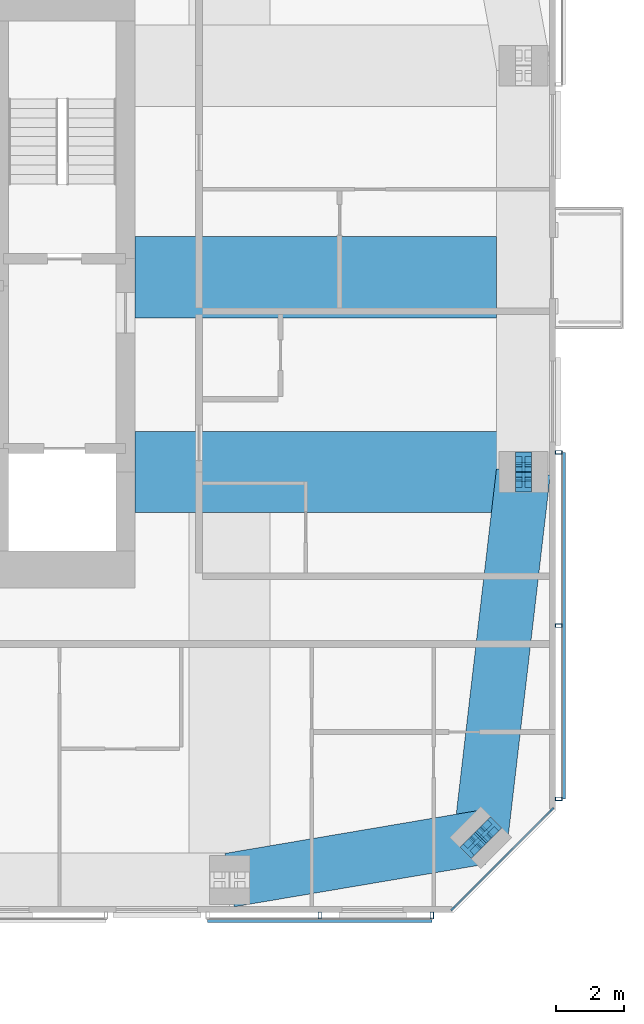
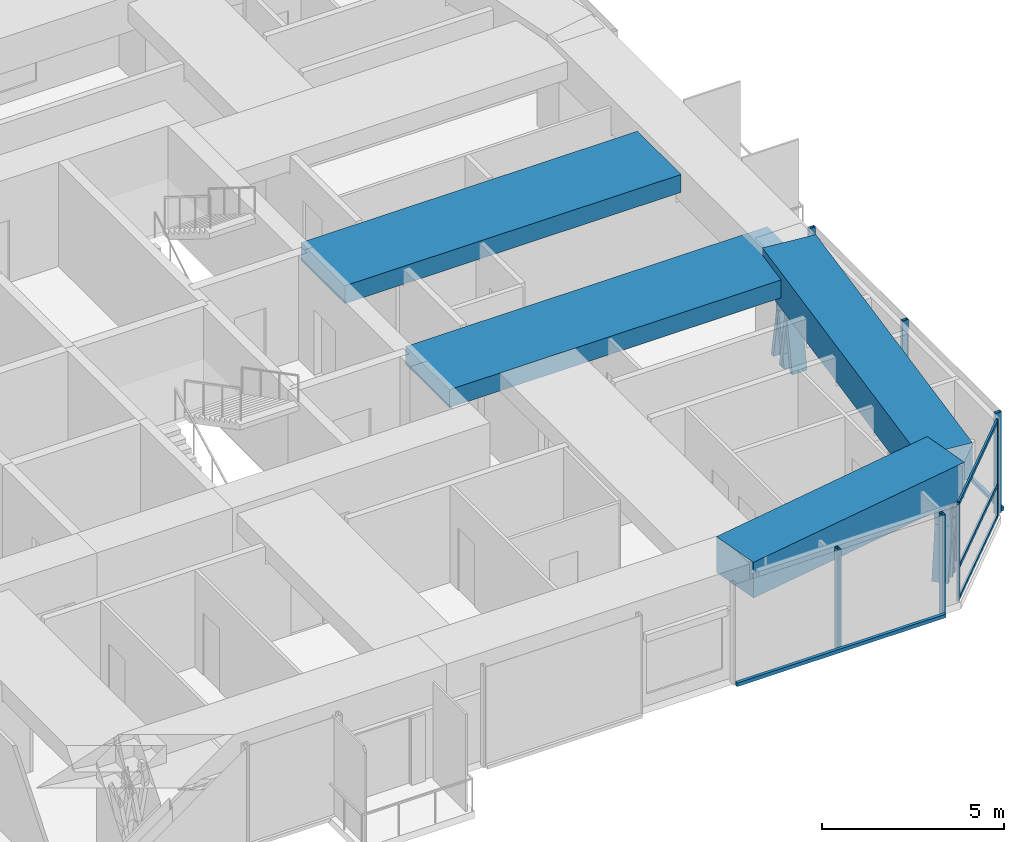
# One storey, part 7 of 18: 20 members, 4 beams, 3 elements without a shape of their own.
"""IFC4 building model written with IfcOpenShell, lengths in metres."""

from ifc_helpers import new_model, si_unit, direction, frame, origin, origin_2d, place, context, subcontext, project, spatial, rectangle, hollow_rectangle, i_section, extrude, material, material_profile, profile_set, type_object, element, aggregate, save


model = new_model("IFC4")

# Units and contexts
model_context = context("Model", 3, precision=1e-05, world=origin(), true_north=direction((0.0, 1.0)))
body_context = subcontext(model_context, "Body", "Model", "MODEL_VIEW")
ifc_project = project(units=[si_unit("LENGTHUNIT", "METRE"), si_unit("AREAUNIT", "SQUARE_METRE"), si_unit("VOLUMEUNIT", "CUBIC_METRE"), si_unit("PLANEANGLEUNIT", "RADIAN"), si_unit("MASSUNIT", "GRAM", prefix="KILO")], contexts=[model_context])

# Site, building, storey
site_placement = place(None, origin())
site = spatial("IfcSite", under=ifc_project, at=site_placement, CompositionType="ELEMENT")
building_placement = place(site_placement, origin())
building = spatial("IfcBuilding", under=site, at=building_placement, Name="Jalousie Tower", CompositionType="ELEMENT")
storey_placement = place(building_placement, frame((0.0, 0.0, 256.449951171875)))
storey = spatial("IfcBuildingStorey", under=building, at=storey_placement, Name="L70", CompositionType="ELEMENT", Elevation=256.449951171875)

# Curtain wall, members
ifc_material_1 = material(Name="Aluminium curtain wall", Category="aluminium")
curtain_wall_type_1 = type_object("IfcCurtainWallType", Name="CORNER WINDOW WALL", PredefinedType="USERDEFINED", material=ifc_material_1)
curtain_wall_1_placement = place(storey_placement, origin())
curtain_wall_1 = element("IfcCurtainWall", 1, at=curtain_wall_1_placement, inside=storey, type_object=curtain_wall_type_1, Name="Corner Window Wall L70 2", ObjectType="CORNER WINDOW WALL", PredefinedType="USERDEFINED")
ifc_material_2 = material(Name="Aluminium mullion", Category="aluminium")
ifc_material_profile_1 = material_profile(ifc_material_2, rectangle(XDim=0.06005859375, YDim=0.14990234375, at=origin_2d()), Name="MULLION 60x150")
ifc_profile_set_1 = profile_set([ifc_material_profile_1], Name="Aluminium mullion")
member_type_1 = type_object("IfcMemberType", Name="CORNER WINDOW WALL MULLION", PredefinedType="MULLION", material=ifc_profile_set_1)
member_1_placement = place(storey_placement, frame((53.469970703125, 0.108642578125, 0.0), z_axis=(0.0, 0.0, 1.0), x_axis=(-0.707106781187, 0.707106781187, 0.0)))
member_1 = element("IfcMember", 2, at=member_1_placement, type_object=member_type_1, Name="CW-C mullion 1", PredefinedType="MULLION", context=body_context, shape_type="SweptSolid", body=[
    extrude(rectangle(XDim=0.06005859375, YDim=0.14990234375, at=origin_2d()), origin(), (0.0, 0.0, 1.0), 3.260009765625),
])
member_2_placement = place(storey_placement, frame((56.391357421875, 3.030029296875, 0.0), z_axis=(0.0, 0.0, 1.0), x_axis=(-0.707106781187, 0.707106781187, 0.0)))
member_2 = element("IfcMember", 3, at=member_2_placement, type_object=member_type_1, Name="CW-C mullion 2", PredefinedType="MULLION", context=body_context, shape_type="SweptSolid", body=[
    extrude(rectangle(XDim=0.06005859375, YDim=0.14990234375, at=origin_2d()), origin(), (0.0, 0.0, 1.0), 3.260009765625),
])
ifc_material_3 = material(Name="Aluminium transom", Category="aluminium")
ifc_material_profile_2 = material_profile(ifc_material_3, rectangle(XDim=0.06005859375, YDim=0.1201171875, at=origin_2d()), Name="TRANSOM 60x120")
ifc_profile_set_2 = profile_set([ifc_material_profile_2], Name="Aluminium transom")
member_type_2 = type_object("IfcMemberType", Name="CORNER WINDOW WALL TRANSOM", PredefinedType="USERDEFINED", material=ifc_profile_set_2)
member_3_placement = place(storey_placement, frame((53.4912109375, 0.1298828125, 0.030029296875), z_axis=(0.707106781187, 0.707106781187, 0.0), x_axis=(-0.707106781187, 0.707106781187, 0.0)))
member_3 = element("IfcMember", 4, at=member_3_placement, type_object=member_type_2, Name="CW-C transom 1.1", ObjectType="TRANSOM", PredefinedType="USERDEFINED", context=body_context, shape_type="SweptSolid", body=[
    extrude(rectangle(XDim=0.06005859375, YDim=0.1201171875, at=origin_2d()), origin(), (0.0, 0.0, 1.0), 4.0712890625),
])
member_4_placement = place(storey_placement, frame((53.4912109375, 0.1298828125, 1.10009765625), z_axis=(0.707106781187, 0.707106781187, 0.0), x_axis=(-0.707106781187, 0.707106781187, 0.0)))
member_4 = element("IfcMember", 5, at=member_4_placement, type_object=member_type_2, Name="CW-C transom 1.2", ObjectType="TRANSOM", PredefinedType="USERDEFINED", context=body_context, shape_type="SweptSolid", body=[
    extrude(rectangle(XDim=0.06005859375, YDim=0.1201171875, at=origin_2d()), origin(), (0.0, 0.0, 1.0), 4.0712890625),
])
member_5_placement = place(storey_placement, frame((53.4912109375, 0.1298828125, 3.22998046875), z_axis=(0.707106781187, 0.707106781187, 0.0), x_axis=(-0.707106781187, 0.707106781187, 0.0)))
member_5 = element("IfcMember", 6, at=member_5_placement, type_object=member_type_2, Name="CW-C transom 1.3", ObjectType="TRANSOM", PredefinedType="USERDEFINED", context=body_context, shape_type="SweptSolid", body=[
    extrude(rectangle(XDim=0.06005859375, YDim=0.1201171875, at=origin_2d()), origin(), (0.0, 0.0, 1.0), 4.0712890625),
])
aggregate(curtain_wall_1, [member_1, member_2, member_3, member_4, member_5])

# Members
ifc_material_4 = material(Name="Steel ASTM A992 Grade 50", Category="steel")
ifc_material_profile_3 = material_profile(ifc_material_4, i_section(OverallWidth=0.472412109375, OverallDepth=0.5791015625, WebThickness=0.094970703125, FlangeThickness=0.1298828125, at=origin_2d()), Name="W14X808")
ifc_profile_set_3 = profile_set([ifc_material_profile_3], Name="Steel ASTM A992 Grade 50")
member_type_3 = type_object("IfcMemberType", Name="PERIMETER BRACE W14X808", PredefinedType="BRACE", material=ifc_profile_set_3)
for number, where, z_axis, x_axis, name in (
    (7, (54.04541015625, 1.959716796875, -0.599853515625), (0.138716051522, 0.138579250682, 0.980588419435), (-0.706757851183, 0.707455539091, 0.0), "Perimeter brace 05 L70 part 1"),
    (8, (54.29296875, 2.20703125, 1.150146484375), (0.138579250682, 0.138716051522, 0.980588419435), (-0.707455539091, 0.706757851183, 0.0), "Perimeter brace 05 L70 part 2"),
    (9, (54.540283203125, 2.45458984375, -0.599853515625), (-0.138579250682, -0.138716051522, 0.980588419435), (0.707455539091, -0.706757851183, 0.0), "Perimeter brace 05 L70 part 3"),
    (10, (54.29296875, 2.20703125, 1.150146484375), (-0.138716051522, -0.138579250682, 0.980588419435), (0.706757851183, -0.707455539091, 0.0), "Perimeter brace 05 L70 part 4"),
):
    element("IfcMember", number, at=place(storey_placement, frame(where, z_axis=z_axis, x_axis=x_axis)), inside=storey, type_object=member_type_3, Name=name, PredefinedType="BRACE", context=body_context, shape_type="SweptSolid", body=[
        extrude(i_section(OverallWidth=0.472412109375, OverallDepth=0.5791015625, WebThickness=0.094970703125, FlangeThickness=0.1298828125, at=origin_2d()), origin(), (0.0, 0.0, 1.0), 1.78466796875),
    ])
for number, where, z_axis, x_axis, name in (
    (11, (55.550048828125, 12.699951171875, -0.599853515625), (0.0, 0.168990530437, 0.98561767467), (-1.0, 0.0, 0.0), "Perimeter brace 06 L70 part 1"),
    (12, (55.550048828125, 13.0, 1.150146484375), (0.0, 0.168990530437, 0.98561767467), (-1.0, 0.0, 0.0), "Perimeter brace 06 L70 part 2"),
    (13, (55.550048828125, 13.300048828125, -0.599853515625), (0.0, -0.168990530437, 0.98561767467), (1.0, 0.0, 0.0), "Perimeter brace 06 L70 part 3"),
    (14, (55.550048828125, 13.0, 1.150146484375), (0.0, -0.168990530437, 0.98561767467), (1.0, 0.0, 0.0), "Perimeter brace 06 L70 part 4"),
):
    element("IfcMember", number, at=place(storey_placement, frame(where, z_axis=z_axis, x_axis=x_axis)), inside=storey, type_object=member_type_3, Name=name, PredefinedType="BRACE", context=body_context, shape_type="SweptSolid", body=[
        extrude(i_section(OverallWidth=0.472412109375, OverallDepth=0.5791015625, WebThickness=0.094970703125, FlangeThickness=0.1298828125, at=origin_2d()), origin(), (0.0, 0.0, 1.0), 1.775634765625),
    ])

# Beams
ifc_material_5 = material(Name="Concrete f'c 40 MPa", Category="concrete")
ifc_material_profile_4 = material_profile(ifc_material_5, rectangle(XDim=1.60009765625, YDim=1.199951171875, at=origin_2d()), Name="RC 1600x1200")
ifc_profile_set_4 = profile_set([ifc_material_profile_4], Name="Concrete f'c 40 MPa")
beam_type_1 = type_object("IfcBeamType", Name="RC BEAM 1600x1200", PredefinedType="BEAM", material=ifc_profile_set_4)
beam_1_placement = place(storey_placement, frame((46.875, 0.949951171875, 2.900146484375), z_axis=(0.985942997446, 0.167082033105, 0.0), x_axis=(-0.167082033105, 0.985942997446, 0.0)))
element("IfcBeam", 15, at=beam_1_placement, inside=storey, type_object=beam_type_1, Name="Edge band beam 04-05 under L71", PredefinedType="BEAM", context=body_context, shape_type="SweptSolid", body=[
    extrude(rectangle(XDim=1.60009765625, YDim=1.199951171875, at=origin_2d()), origin(), (0.0, 0.0, 1.0), 7.523681640625),
])
beam_2_placement = place(storey_placement, frame((54.29296875, 2.20703125, 2.900146484375), z_axis=(0.115690063472, 0.993285361421, 0.0), x_axis=(-0.993285361421, 0.115690063472, 0.0)))
element("IfcBeam", 16, at=beam_2_placement, inside=storey, type_object=beam_type_1, Name="Edge band beam 05-06 under L71", PredefinedType="BEAM", context=body_context, shape_type="SweptSolid", body=[
    extrude(rectangle(XDim=1.60009765625, YDim=1.199951171875, at=origin_2d()), origin(), (0.0, 0.0, 1.0), 10.865966796875),
])
ifc_material_6 = material(Name="Concrete f'c 40 MPa", Category="concrete")
ifc_material_profile_5 = material_profile(ifc_material_6, rectangle(XDim=2.39990234375, YDim=0.60009765625, at=origin_2d()), Name="RC 2400x600")
ifc_profile_set_5 = profile_set([ifc_material_profile_5], Name="Concrete f'c 40 MPa")
beam_type_2 = type_object("IfcBeamType", Name="RC BEAM 2400x600", PredefinedType="BEAM", material=ifc_profile_set_5)
beam_3_placement = place(storey_placement, frame((55.550048828125, 13.0, 2.9599609375), z_axis=(-1.0, 0.0, 0.0), x_axis=(0.0, -1.0, 0.0)))
element("IfcBeam", 17, at=beam_3_placement, inside=storey, type_object=beam_type_2, Name="Floor band beam under L71", PredefinedType="BEAM", context=body_context, shape_type="SweptSolid", body=[
    extrude(rectangle(XDim=2.39990234375, YDim=0.60009765625, at=origin_2d()), origin(), (0.0, 0.0, 1.0), 11.47509765625),
])
beam_4_placement = place(storey_placement, frame((44.074951171875, 18.75, 2.9599609375), z_axis=(1.0, 0.0, 0.0), x_axis=(0.0, 1.0, 0.0)))
element("IfcBeam", 18, at=beam_4_placement, inside=storey, type_object=beam_type_2, Name="Floor band beam under L71", PredefinedType="BEAM", context=body_context, shape_type="SweptSolid", body=[
    extrude(rectangle(XDim=2.39990234375, YDim=0.60009765625, at=origin_2d()), origin(), (0.0, 0.0, 1.0), 10.675048828125),
])

# Curtain wall, members
ifc_material_7 = material(Name="Perforated aluminium sheet", Category="aluminium")
curtain_wall_type_2 = type_object("IfcCurtainWallType", Name="SOLAR SCREEN SS-2", PredefinedType="USERDEFINED", material=ifc_material_7)
curtain_wall_2_placement = place(storey_placement, origin())
curtain_wall_2 = element("IfcCurtainWall", 19, at=curtain_wall_2_placement, inside=storey, type_object=curtain_wall_type_2, Name="Solar screen L70", ObjectType="SOLAR SCREEN SS-2", PredefinedType="USERDEFINED")
ifc_material_8 = material(Name="Steel ASTM A500 Grade C", Category="steel")
ifc_material_profile_6 = material_profile(ifc_material_8, hollow_rectangle(XDim=0.1015625, YDim=0.203125, WallThickness=0.0078125, at=origin_2d()), Name="HSS8X4X5/16")
ifc_profile_set_6 = profile_set([ifc_material_profile_6], Name="Steel ASTM A500 Grade C")
member_type_4 = type_object("IfcMemberType", Name="SOLAR SCREEN SS-2 MULLION", PredefinedType="MULLION", material=ifc_profile_set_6)
member_6_placement = place(storey_placement, frame((49.53759765625, -0.0966796875, -0.119873046875), z_axis=(0.0, 0.0, 1.0), x_axis=(1.0, 0.0, 0.0)))
member_6 = element("IfcMember", 20, at=member_6_placement, type_object=member_type_4, Name="SS2 post 2", PredefinedType="MULLION", context=body_context, shape_type="SweptSolid", body=[
    extrude(hollow_rectangle(XDim=0.1015625, YDim=0.203125, WallThickness=0.0078125, at=origin_2d()), origin(), (0.0, 0.0, 1.0), 3.3798828125),
])
member_7_placement = place(storey_placement, frame((52.85009765625, -0.0966796875, -0.119873046875), z_axis=(0.0, 0.0, 1.0), x_axis=(1.0, 0.0, 0.0)))
member_7 = element("IfcMember", 21, at=member_7_placement, type_object=member_type_4, Name="SS2 post 3", PredefinedType="MULLION", context=body_context, shape_type="SweptSolid", body=[
    extrude(hollow_rectangle(XDim=0.1015625, YDim=0.203125, WallThickness=0.0078125, at=origin_2d()), origin(), (0.0, 0.0, 1.0), 3.3798828125),
])

curtain_wall_3_placement = place(storey_placement, origin())
curtain_wall_3 = element("IfcCurtainWall", 22, at=curtain_wall_3_placement, inside=storey, type_object=curtain_wall_type_2, Name="Solar screen L70", ObjectType="SOLAR SCREEN SS-2", PredefinedType="USERDEFINED")
member_8_placement = place(storey_placement, frame((56.5966796875, 3.351318359375, -0.119873046875), z_axis=(0.0, 0.0, 1.0), x_axis=(0.0, 1.0, 0.0)))
member_8 = element("IfcMember", 23, at=member_8_placement, type_object=member_type_4, Name="SS2 post 1", PredefinedType="MULLION", context=body_context, shape_type="SweptSolid", body=[
    extrude(hollow_rectangle(XDim=0.1015625, YDim=0.203125, WallThickness=0.0078125, at=origin_2d()), origin(), (0.0, 0.0, 1.0), 3.3798828125),
])
member_9_placement = place(storey_placement, frame((56.5966796875, 8.466552734375, -0.119873046875), z_axis=(0.0, 0.0, 1.0), x_axis=(0.0, 1.0, 0.0)))
member_9 = element("IfcMember", 24, at=member_9_placement, type_object=member_type_4, Name="SS2 post 2", PredefinedType="MULLION", context=body_context, shape_type="SweptSolid", body=[
    extrude(hollow_rectangle(XDim=0.1015625, YDim=0.203125, WallThickness=0.0078125, at=origin_2d()), origin(), (0.0, 0.0, 1.0), 3.3798828125),
])
member_10_placement = place(storey_placement, frame((56.5966796875, 13.581787109375, -0.119873046875), z_axis=(0.0, 0.0, 1.0), x_axis=(0.0, 1.0, 0.0)))
member_10 = element("IfcMember", 25, at=member_10_placement, type_object=member_type_4, Name="SS2 post 3", PredefinedType="MULLION", context=body_context, shape_type="SweptSolid", body=[
    extrude(hollow_rectangle(XDim=0.1015625, YDim=0.203125, WallThickness=0.0078125, at=origin_2d()), origin(), (0.0, 0.0, 1.0), 3.3798828125),
])

# Member
ifc_material_9 = material(Name="Extruded aluminium screen rail", Category="aluminium")
ifc_material_profile_7 = material_profile(ifc_material_9, rectangle(XDim=0.1015625, YDim=0.1201171875, at=origin_2d()), Name="RAIL 102x120")
ifc_profile_set_7 = profile_set([ifc_material_profile_7], Name="Extruded aluminium screen rail")
member_type_5 = type_object("IfcMemberType", Name="SOLAR SCREEN SS-2 TRANSOM", PredefinedType="USERDEFINED", material=ifc_profile_set_7)
member_11_placement = place(storey_placement, frame((46.22509765625, -0.2490234375, -0.06005859375), z_axis=(1.0, 0.0, 0.0), x_axis=(0.0, 1.0, 0.0)))
member_11 = element("IfcMember", 26, at=member_11_placement, type_object=member_type_5, Name="SS2 rail", ObjectType="TRANSOM", PredefinedType="USERDEFINED", context=body_context, shape_type="SweptSolid", body=[
    extrude(rectangle(XDim=0.1015625, YDim=0.1201171875, at=origin_2d()), origin(), (0.0, 0.0, 1.0), 6.625),
])

aggregate(curtain_wall_2, [member_6, member_7, member_11])

member_12_placement = place(storey_placement, frame((56.7490234375, 3.351318359375, -0.06005859375), z_axis=(0.0, 1.0, 0.0), x_axis=(-1.0, 0.0, 0.0)))
member_12 = element("IfcMember", 27, at=member_12_placement, type_object=member_type_5, Name="SS2 rail", ObjectType="TRANSOM", PredefinedType="USERDEFINED", context=body_context, shape_type="SweptSolid", body=[
    extrude(rectangle(XDim=0.1015625, YDim=0.1201171875, at=origin_2d()), origin(), (0.0, 0.0, 1.0), 10.23046875),
])

aggregate(curtain_wall_3, [member_8, member_9, member_10, member_12])

save(model, "model.ifc")
